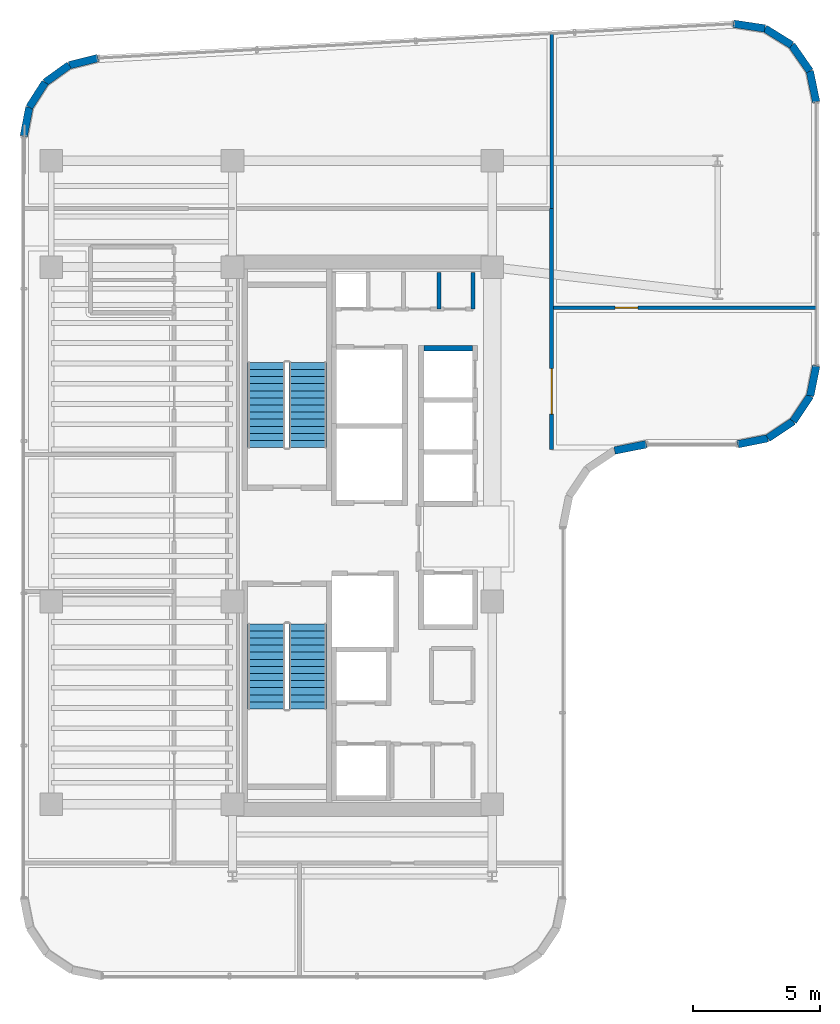
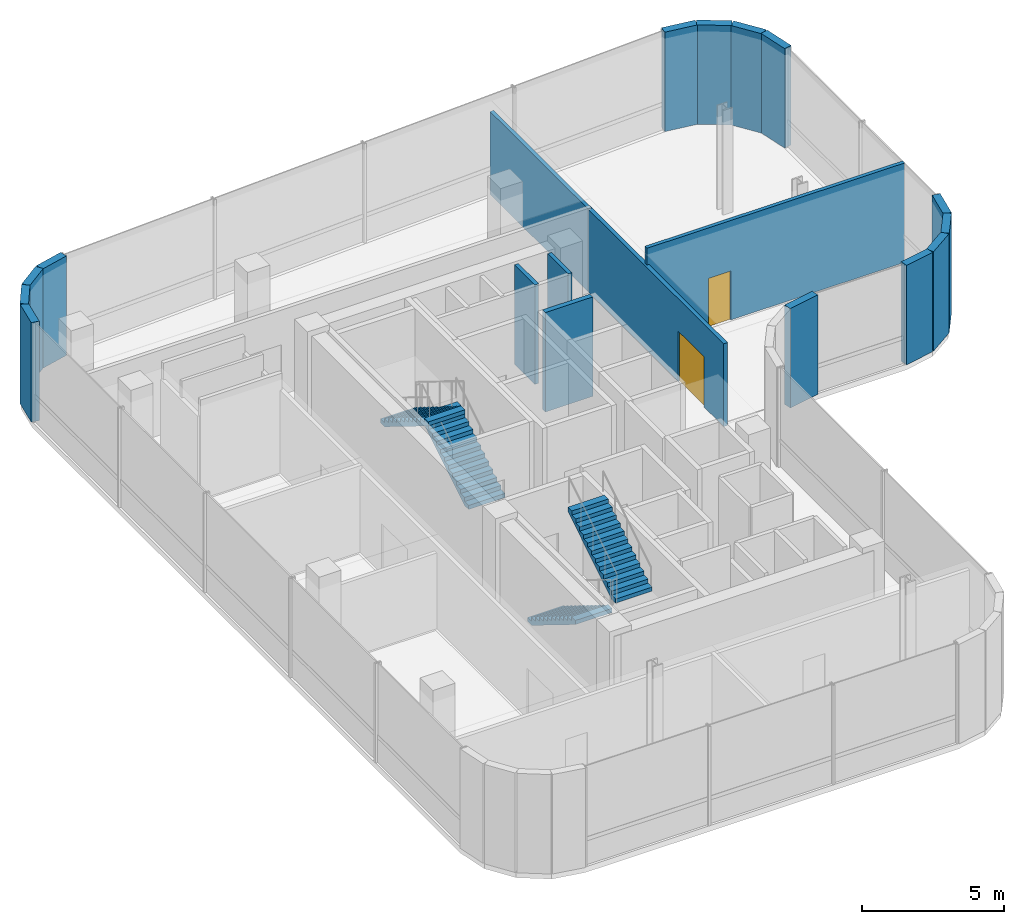
# One storey, part 15 of 17: 19 walls, 4 stair flights, 2 doors, 2 openings, 2 elements without a shape of their own.
"""IFC4 building model written with IfcOpenShell, lengths in metres."""

import ifcopenshell
import ifcopenshell.guid

model = None  # the IFC model being written
_history = None  # IfcOwnerHistory: only IFC2X3 demands one
_inside = {}  # id of a spatial element -> (the spatial element, [elements in it])
_under = {}  # id of a project, library or spatial element -> (it, [spatial elements below it])
_declared = {}  # id of a project -> (the project, [libraries it declares])
_typed = {}  # id of a type object -> (the type object, [elements of that type])
_made_of = {}  # id of a material, layer set ... -> (it, [elements and type objects made of it])


def new_model(schema):
    """Start an empty IFC model of exactly this schema.

    Asked for "IFC4X3", IfcOpenShell would pick the latest addendum, in which some entities
    have other attributes; the version numbers below select the first issue.
    IFC2X3 requires an IfcOwnerHistory on every rooted entity: one is made here for all.
    """
    global model, _history
    if schema == "IFC4X3":
        model = ifcopenshell.file(schema_version=(4, 3, 0, 0))
    else:
        model = ifcopenshell.file(schema=schema)
    _inside.clear()
    _under.clear()
    _declared.clear()
    _typed.clear()
    _made_of.clear()
    _history = None
    if model.schema == "IFC2X3":
        org = make("IfcOrganization", Name="unknown")
        user = make(
            "IfcPersonAndOrganization",
            ThePerson=make("IfcPerson", FamilyName="unknown"),
            TheOrganization=org,
        )
        app = make(
            "IfcApplication",
            ApplicationDeveloper=org,
            Version="unknown",
            ApplicationFullName="unknown",
            ApplicationIdentifier="unknown",
        )
        _history = make(
            "IfcOwnerHistory",
            OwningUser=user,
            OwningApplication=app,
            ChangeAction="ADDED",
            CreationDate=0,
        )
    return model


def make(cls, **values):
    """One entity of the class cls with the attributes given. An attribute that is None is left unset."""
    return model.create_entity(
        cls, **{name: value for name, value in values.items() if value is not None}
    )


def rooted(cls, **values):
    """An entity with a GlobalId (a new one), such as an element, a storey or a relation."""
    return make(cls, GlobalId=ifcopenshell.guid.new(), OwnerHistory=_history, **values)


def si_unit(unit_type, name, prefix=None):
    """IfcSIUnit, for example si_unit("LENGTHUNIT", "METRE", prefix="MILLI")."""
    return make("IfcSIUnit", UnitType=unit_type, Prefix=prefix, Name=name)


def assignment(units):
    """IfcUnitAssignment: the units of a project."""
    return None if units is None else make("IfcUnitAssignment", Units=units)


def point(xyz):
    """IfcCartesianPoint."""
    return None if xyz is None else make("IfcCartesianPoint", Coordinates=xyz)


def direction(xyz):
    """IfcDirection."""
    return None if xyz is None else make("IfcDirection", DirectionRatios=xyz)


def frame(location, z_axis=None, x_axis=None):
    """IfcAxis2Placement3D, a coordinate frame: its origin and axes. An axis left out is left unset."""
    return make(
        "IfcAxis2Placement3D",
        Location=point(location),
        Axis=direction(z_axis),
        RefDirection=direction(x_axis),
    )


def frame_2d(location, x_axis=None):
    """IfcAxis2Placement2D, a coordinate frame in the plane: its origin and x axis."""
    return make(
        "IfcAxis2Placement2D", Location=point(location), RefDirection=direction(x_axis)
    )


def origin():
    """The frame at (0, 0, 0) with its axes left unset."""
    return frame((0.0, 0.0, 0.0))


def place(relative_to, where):
    """IfcLocalPlacement: puts the frame where relative to a parent placement (None: the world)."""
    return make(
        "IfcLocalPlacement", PlacementRelTo=relative_to, RelativePlacement=where
    )


def context(
    kind, dimensions, precision=None, world=None, true_north=None, identifier=None
):
    """IfcGeometricRepresentationContext, for example the 3D "Model" context."""
    return make(
        "IfcGeometricRepresentationContext",
        ContextIdentifier=identifier,
        ContextType=kind,
        CoordinateSpaceDimension=dimensions,
        Precision=precision,
        WorldCoordinateSystem=world,
        TrueNorth=true_north,
    )


def subcontext(parent, identifier, kind, view, scale=None):
    """IfcGeometricRepresentationSubContext, for example "Body" below "Model"."""
    return make(
        "IfcGeometricRepresentationSubContext",
        ContextIdentifier=identifier,
        ContextType=kind,
        ParentContext=parent,
        TargetScale=scale,
        TargetView=view,
    )


def project(units=None, contexts=None):
    """IfcProject with its units and contexts."""
    return rooted(
        "IfcProject",
        Name="project",
        RepresentationContexts=contexts,
        UnitsInContext=assignment(units),
    )


def spatial(cls, under=None, at=None, **own):
    """A site, building, storey or space (cls), placed at a placement, below another one or the project."""
    s = rooted(cls, ObjectPlacement=at, **own)
    if under is not None:
        _under.setdefault(under.id(), (under, []))[1].append(s)
    return s


def polyline(points):
    """IfcPolyline through the points."""
    return make("IfcPolyline", Points=[point(p) for p in points])


def profile(cls, at=None, kind="AREA", **sizes):
    """A parametric profile (cls). Its sizes go by their IFC names, for example OverallWidth=200.0."""
    return make(cls, ProfileType=kind, Position=at, **sizes)


def rectangle(**sizes):
    """IfcRectangleProfileDef."""
    return profile("IfcRectangleProfileDef", **sizes)


def outline(outer, holes=None, kind="AREA"):
    """IfcArbitraryClosedProfileDef: a profile drawn as a closed curve; with holes, ...WithVoids."""
    if holes is None:
        return make("IfcArbitraryClosedProfileDef", ProfileType=kind, OuterCurve=outer)
    return make(
        "IfcArbitraryProfileDefWithVoids",
        ProfileType=kind,
        OuterCurve=outer,
        InnerCurves=holes,
    )


def extrude(swept, where, along, depth):
    """IfcExtrudedAreaSolid: the profile swept, set in the frame where, extruded along a direction by depth."""
    return make(
        "IfcExtrudedAreaSolid",
        SweptArea=swept,
        Position=where,
        ExtrudedDirection=direction(along),
        Depth=depth,
    )


def shape(context_of_items, identifier, shape_type, items):
    """IfcShapeRepresentation: the items that make up one representation, for example the "Body"."""
    return make(
        "IfcShapeRepresentation",
        ContextOfItems=context_of_items,
        RepresentationIdentifier=identifier,
        RepresentationType=shape_type,
        Items=items,
    )


def material(Name=None, Category=None):
    """IfcMaterial."""
    return make("IfcMaterial", Name=Name, Category=Category)


def layer(
    of_material, thickness, ventilated=None, Name=None, Category=None, Priority=None
):
    """IfcMaterialLayer: one layer of a wall or slab, of a material (None: an air gap)."""
    return make(
        "IfcMaterialLayer",
        Material=of_material,
        LayerThickness=thickness,
        IsVentilated=ventilated,
        Name=Name,
        Category=Category,
        Priority=Priority,
    )


def layer_set(layers, Name=None):
    """IfcMaterialLayerSet."""
    return make("IfcMaterialLayerSet", MaterialLayers=layers, LayerSetName=Name)


def made_of(thing, what):
    """Note that an element or type object is made of a material, layer set ...; save() writes the relation."""
    if what is not None:
        _made_of.setdefault(what.id(), (what, []))[1].append(thing)
    return thing


def type_object(cls, material=None, **own):
    """A type object (cls), such as IfcWallType, which elements share."""
    return made_of(rooted(cls, **own), material)


def element(
    cls,
    number,
    at=None,
    inside=None,
    cuts=None,
    type_object=None,
    material=None,
    context=None,
    identifier="Body",
    shape_type=None,
    held_by="IfcProductDefinitionShape",
    body=None,
    shapes=None,
    **own,
):
    """One element of the class cls, such as IfcWall. Its Tag is "e" and its number.

    at: its placement. inside: the storey or other place that contains it. cuts: it is an
    opening in that element (IfcRelVoidsElement). A single representation is given by context,
    identifier, shape_type and body (its items); several are given by shapes. held_by: the class
    of the entity that holds the representations. save() writes the other relations.
    """
    e = rooted(cls, Tag="e%d" % number, ObjectPlacement=at, **own)
    if body is not None:
        shapes = [shape(context, identifier, shape_type, body)]
    if shapes is not None:
        e.Representation = make(held_by, Representations=shapes)
    if inside is not None:
        _inside.setdefault(inside.id(), (inside, []))[1].append(e)
    if cuts is not None:
        rooted(
            "IfcRelVoidsElement", RelatingBuildingElement=cuts, RelatedOpeningElement=e
        )
    if type_object is not None:
        _typed.setdefault(type_object.id(), (type_object, []))[1].append(e)
    return made_of(e, material)


def fill(opening, filler):
    """IfcRelFillsElement: the door or window that sits in an opening."""
    return rooted(
        "IfcRelFillsElement",
        RelatingOpeningElement=opening,
        RelatedBuildingElement=filler,
    )


def aggregate(whole, parts):
    """IfcRelAggregates: a whole, such as a stair, and the parts it consists of."""
    return rooted("IfcRelAggregates", RelatingObject=whole, RelatedObjects=parts)


def save(model, path):
    """Write the relations noted so far, then the file.

    IfcRelAggregates (storeys below a building ...), IfcRelContainedInSpatialStructure (elements
    in a storey), IfcRelDefinesByType, IfcRelAssociatesMaterial and IfcRelDeclares: one each for
    every whole, place, type object, material and project.
    """
    for whole, parts in _under.values():
        aggregate(whole, parts)
    for where, things in _inside.values():
        rooted(
            "IfcRelContainedInSpatialStructure",
            RelatedElements=things,
            RelatingStructure=where,
        )
    for kind, things in _typed.values():
        rooted("IfcRelDefinesByType", RelatedObjects=things, RelatingType=kind)
    for what, things in _made_of.values():
        rooted("IfcRelAssociatesMaterial", RelatedObjects=things, RelatingMaterial=what)
    for by, libraries in _declared.values():
        rooted("IfcRelDeclares", RelatingContext=by, RelatedDefinitions=libraries)
    model.write(path)


model = new_model("IFC4")

# Units and contexts
model_context = context("Model", 3, precision=1e-05, world=origin(), true_north=direction((0.0, 1.0)))
body_context = subcontext(model_context, "Body", "Model", "MODEL_VIEW")
ifc_project = project(units=[si_unit("LENGTHUNIT", "METRE"), si_unit("AREAUNIT", "SQUARE_METRE"), si_unit("VOLUMEUNIT", "CUBIC_METRE"), si_unit("PLANEANGLEUNIT", "RADIAN"), si_unit("MASSUNIT", "GRAM", prefix="KILO")], contexts=[model_context])

# Site, building, storey
site_placement = place(None, origin())
site = spatial("IfcSite", under=ifc_project, at=site_placement, CompositionType="ELEMENT")
building_placement = place(site_placement, origin())
building = spatial("IfcBuilding", under=site, at=building_placement, Name="Valdorenza Pilgrim Sanctuary Tower", CompositionType="ELEMENT")
storey_placement = place(building_placement, frame((0.0, 0.0, 201.0)))
storey = spatial("IfcBuildingStorey", under=building, at=storey_placement, Name="L51", CompositionType="ELEMENT", Elevation=201.0)

# Walls
ifc_material_1 = material(Name="Acoustic twin-stud gypsum partition", Category="gypsum")
ifc_layer_1 = layer(ifc_material_1, 0.159912109375, Name="Acoustic twin-stud gypsum partition")
ifc_layer_set_1 = layer_set([ifc_layer_1], Name="Acoustic twin-stud gypsum partition")
wall_type_1 = type_object("IfcWallType", Name="WAL-COR-160", PredefinedType="PARTITIONING", material=ifc_layer_set_1)
for number, where, z_axis, x_axis, name in (
    (1, (-13.14990234375, 8.949951171875, 0.0), (0.0, 0.0, 1.0), (0.0, 1.0, 0.0), "L51 Core A North Service East Wall"),
    (2, (-14.5, 8.949951171875, 0.0), (0.0, 0.0, 1.0), (0.0, 1.0, 0.0), "L51 Core A Split D2"),
):
    element("IfcWall", number, at=place(storey_placement, frame(where, z_axis=z_axis, x_axis=x_axis)), inside=storey, type_object=wall_type_1, Name=name, PredefinedType="PARTITIONING", context=body_context, shape_type="SweptSolid", body=[
        extrude(rectangle(XDim=1.429931640625, YDim=0.159912109375, at=frame_2d((0.71484375, 0.0))), origin(), (0.0, 0.0, 1.0), 4.260009765625),
    ])

# Wall, opening, door
wall_1_placement = place(storey_placement, frame((-10.050048828125, 3.39990234375, 0.0), z_axis=(0.0, 0.0, 1.0), x_axis=(0.0, 1.0, 0.0)))
wall_1 = element("IfcWall", 3, at=wall_1_placement, inside=storey, type_object=wall_type_1, Name="L51 Sky East Gallery Wall", PredefinedType="PARTITIONING", context=body_context, shape_type="SweptSolid", body=[
    extrude(rectangle(XDim=9.52001953125, YDim=0.159912109375, at=frame_2d((4.760009765625, 0.0))), origin(), (0.0, 0.0, 1.0), 3.5439453125),
])
opening_1_placement = place(wall_1_placement, frame((1.39990234375, 0.0, 0.0)))
opening_1 = element("IfcOpeningElement", 4, at=opening_1_placement, cuts=wall_1, Name="Opening DR-HL1", PredefinedType="OPENING", context=body_context, shape_type="SweptSolid", body=[
    extrude(rectangle(XDim=1.800048828125, YDim=2.14990234375, at=frame_2d((0.89990234375, 1.074951171875))), frame((0.0, 0.0947265625, 0.0), z_axis=(0.0, -1.0, 0.0), x_axis=(1.0, 0.0, 0.0)), (0.0, 0.0, 1.0), 0.189697265625),
])
ifc_material_2 = material(Name="Acoustic oak and vision-glass double door", Category="glass")
door_type_1 = type_object("IfcDoorType", Name="DR-HALL-1800", OperationType="NOTDEFINED", PredefinedType="DOOR", material=ifc_material_2)
door_1_placement = place(opening_1_placement, origin())
door_1 = element("IfcDoor", 5, at=door_1_placement, inside=storey, type_object=door_type_1, Name="L51 Sky East Gallery Door", OperationType="DOUBLE_DOOR_SINGLE_SWING", OverallHeight=2.14990234375, OverallWidth=1.800048828125, PredefinedType="DOOR", context=body_context, shape_type="SweptSolid", body=[
    extrude(rectangle(XDim=1.800048828125, YDim=2.14990234375, at=frame_2d((0.89990234375, 1.074951171875))), frame((0.0, 0.02490234375, 0.0), z_axis=(0.0, -1.0, 0.0), x_axis=(1.0, 0.0, 0.0)), (0.0, 0.0, 1.0), 0.050048828125),
])
fill(opening_1, door_1)

# Walls
ifc_material_3 = material(Name="Honed travertine limestone", Category="masonry")
ifc_layer_2 = layer(ifc_material_3, 0.300048828125, Name="Honed travertine limestone")
ifc_layer_set_2 = layer_set([ifc_layer_2], Name="Honed travertine limestone")
wall_type_2 = type_object("IfcWallType", Name="WAL-EXT-300", PredefinedType="SOLIDWALL", material=ifc_layer_set_2)
wall_2_placement = place(storey_placement, frame((-30.889892578125, 15.757568359375, 0.0), z_axis=(0.0, 0.0, 1.0), x_axis=(0.18831542659, 0.982108598938, 0.0)))
element("IfcWall", 6, at=wall_2_placement, inside=storey, type_object=wall_type_2, Name="L51 Rounded Wind-Corner Stone Pier 2", PredefinedType="SOLIDWALL", context=body_context, shape_type="SweptSolid", body=[
    extrude(rectangle(XDim=1.174560546875, YDim=0.300048828125, at=frame_2d((0.58740234375, 0.0))), origin(), (0.0, 0.0, 1.0), 4.260009765625),
])
wall_3_placement = place(storey_placement, frame((-30.668701171875, 16.9111328125, 0.0), z_axis=(0.0, 0.0, 1.0), x_axis=(0.538678781902, 0.84251122837, 0.0)))
element("IfcWall", 7, at=wall_3_placement, inside=storey, type_object=wall_type_2, Name="L51 Rounded Wind-Corner Stone Pier 3", PredefinedType="SOLIDWALL", context=body_context, shape_type="SweptSolid", body=[
    extrude(rectangle(XDim=1.164306640625, YDim=0.300048828125, at=frame_2d((0.58203125, 0.0))), origin(), (0.0, 0.0, 1.0), 4.260009765625),
])
wall_4_placement = place(storey_placement, frame((-30.04150390625, 17.89208984375, 0.0), z_axis=(0.0, 0.0, 1.0), x_axis=(0.812313539683, 0.583220981487, 0.0)))
element("IfcWall", 8, at=wall_4_placement, inside=storey, type_object=wall_type_2, Name="L51 Rounded Wind-Corner Stone Pier 4", PredefinedType="SOLIDWALL", context=body_context, shape_type="SweptSolid", body=[
    extrude(rectangle(XDim=1.163818359375, YDim=0.300048828125, at=frame_2d((0.58203125, 0.0))), origin(), (0.0, 0.0, 1.0), 4.260009765625),
])
wall_5_placement = place(storey_placement, frame((-29.09619140625, 18.57080078125, 0.0), z_axis=(0.0, 0.0, 1.0), x_axis=(0.97050812798, 0.241068400098, 0.0)))
element("IfcWall", 9, at=wall_5_placement, inside=storey, type_object=wall_type_2, Name="L51 Rounded Wind-Corner Stone Pier 5", PredefinedType="SOLIDWALL", context=body_context, shape_type="SweptSolid", body=[
    extrude(rectangle(XDim=1.1748046875, YDim=0.300048828125, at=frame_2d((0.58740234375, 0.0))), origin(), (0.0, 0.0, 1.0), 4.260009765625),
])
wall_6_placement = place(storey_placement, frame((-2.877685546875, 20.20751953125, 0.0), z_axis=(0.0, 0.0, 1.0), x_axis=(0.988902138571, -0.148568369208, 0.0)))
element("IfcWall", 10, at=wall_6_placement, inside=storey, type_object=wall_type_2, Name="L51 Rounded Wind-Corner Stone Pier 7", PredefinedType="SOLIDWALL", context=body_context, shape_type="SweptSolid", body=[
    extrude(rectangle(XDim=1.257080078125, YDim=0.300048828125, at=frame_2d((0.62841796875, 0.0))), origin(), (0.0, 0.0, 1.0), 4.260009765625),
])
wall_7_placement = place(storey_placement, frame((-1.634521484375, 20.020751953125, 0.0), z_axis=(0.0, 0.0, 1.0), x_axis=(0.849646224094, -0.52735310171, 0.0)))
element("IfcWall", 11, at=wall_7_placement, inside=storey, type_object=wall_type_2, Name="L51 Rounded Wind-Corner Stone Pier 8", PredefinedType="SOLIDWALL", context=body_context, shape_type="SweptSolid", body=[
    extrude(rectangle(XDim=1.245361328125, YDim=0.300048828125, at=frame_2d((0.62255859375, 0.0))), origin(), (0.0, 0.0, 1.0), 4.260009765625),
])
wall_8_placement = place(storey_placement, frame((-0.576416015625, 19.364013671875, 0.0), z_axis=(0.0, 0.0, 1.0), x_axis=(0.572304219931, -0.820041389107, 0.0)))
element("IfcWall", 12, at=wall_8_placement, inside=storey, type_object=wall_type_2, Name="L51 Rounded Wind-Corner Stone Pier 9", PredefinedType="SOLIDWALL", context=body_context, shape_type="SweptSolid", body=[
    extrude(rectangle(XDim=1.24560546875, YDim=0.300048828125, at=frame_2d((0.622802734375, 0.0))), origin(), (0.0, 0.0, 1.0), 4.260009765625),
])
wall_9_placement = place(storey_placement, frame((0.136474609375, 18.342529296875, 0.0), z_axis=(0.0, 0.0, 1.0), x_axis=(0.201603599025, -0.979467196419, 0.0)))
element("IfcWall", 13, at=wall_9_placement, inside=storey, type_object=wall_type_2, Name="L51 Rounded Wind-Corner Stone Pier 10", PredefinedType="SOLIDWALL", context=body_context, shape_type="SweptSolid", body=[
    extrude(rectangle(XDim=1.257080078125, YDim=0.300048828125, at=frame_2d((0.62841796875, 0.0))), origin(), (0.0, 0.0, 1.0), 4.260009765625),
])
wall_10_placement = place(storey_placement, frame((0.389892578125, 6.710693359375, 0.0), z_axis=(0.0, 0.0, 1.0), x_axis=(-0.194996050505, -0.980804027463, 0.0)))
element("IfcWall", 14, at=wall_10_placement, inside=storey, type_object=wall_type_2, Name="L51 Rounded Wind-Corner Stone Pier 12", PredefinedType="SOLIDWALL", context=body_context, shape_type="SweptSolid", body=[
    extrude(rectangle(XDim=1.2158203125, YDim=0.300048828125, at=frame_2d((0.60791015625, 0.0))), origin(), (0.0, 0.0, 1.0), 4.260009765625),
])
for number, where, z_axis, x_axis, name in (
    (15, (0.15283203125, 5.518310546875, 0.0), (0.0, 0.0, 1.0), (-0.555635100982, -0.831426265255, 0.0), "L51 Rounded Wind-Corner Stone Pier 13"),
    (16, (-0.5166015625, 4.5166015625, 0.0), (0.0, 0.0, 1.0), (-0.831426265255, -0.555635100982, 0.0), "L51 Rounded Wind-Corner Stone Pier 14"),
):
    element("IfcWall", number, at=place(storey_placement, frame(where, z_axis=z_axis, x_axis=x_axis)), inside=storey, type_object=wall_type_2, Name=name, PredefinedType="SOLIDWALL", context=body_context, shape_type="SweptSolid", body=[
        extrude(rectangle(XDim=1.204833984375, YDim=0.300048828125, at=frame_2d((0.6025390625, 0.0))), origin(), (0.0, 0.0, 1.0), 4.260009765625),
    ])
wall_11_placement = place(storey_placement, frame((-1.518310546875, 3.84716796875, 0.0), z_axis=(0.0, 0.0, 1.0), x_axis=(-0.980804027463, -0.194996050505, 0.0)))
element("IfcWall", 17, at=wall_11_placement, inside=storey, type_object=wall_type_2, Name="L51 Rounded Wind-Corner Stone Pier 15", PredefinedType="SOLIDWALL", context=body_context, shape_type="SweptSolid", body=[
    extrude(rectangle(XDim=1.2158203125, YDim=0.300048828125, at=frame_2d((0.60791015625, 0.0))), origin(), (0.0, 0.0, 1.0), 4.260009765625),
])
wall_12_placement = place(storey_placement, frame((-6.310791015625, 3.610107421875, 0.0), z_axis=(0.0, 0.0, 1.0), x_axis=(-0.980778058848, -0.195126623715, 0.0)))
element("IfcWall", 18, at=wall_12_placement, inside=storey, type_object=wall_type_2, Name="L51 Rounded Wind-Corner Stone Pier 17", PredefinedType="SOLIDWALL", context=body_context, shape_type="SweptSolid", body=[
    extrude(rectangle(XDim=1.28125, YDim=0.300048828125, at=frame_2d((0.640625, 0.0))), origin(), (0.0, 0.0, 1.0), 4.260009765625),
])
ifc_material_4 = material(Name="Autoclaved aerated concrete blockwork", Category="masonry")
ifc_layer_3 = layer(ifc_material_4, 0.199951171875, Name="Autoclaved aerated concrete blockwork")
ifc_layer_set_3 = layer_set([ifc_layer_3], Name="Autoclaved aerated concrete blockwork")
wall_type_3 = type_object("IfcWallType", Name="WAL-SHF-200", PredefinedType="MOVABLE", material=ifc_layer_set_3)
wall_13_placement = place(storey_placement, frame((-15.10009765625, 7.39990234375, 0.0), z_axis=(0.0, 0.0, 1.0), x_axis=(1.0, 0.0, 0.0)))
element("IfcWall", 19, at=wall_13_placement, inside=storey, type_object=wall_type_3, Name="L51 Lift PL-10 Hoistway Wall North", PredefinedType="MOVABLE", context=body_context, shape_type="SweptSolid", body=[
    extrude(rectangle(XDim=1.920166015625, YDim=0.199951171875, at=frame_2d((0.9599609375, 0.0))), origin(), (0.0, 0.0, 1.0), 4.260009765625),
])
ifc_layer_4 = layer(ifc_material_1, 0.14990234375, Name="Acoustic twin-stud gypsum partition")
ifc_layer_set_4 = layer_set([ifc_layer_4], Name="Acoustic twin-stud gypsum partition")
wall_type_4 = type_object("IfcWallType", Name="WAL-UNT-150", PredefinedType="PARTITIONING", material=ifc_layer_set_4)
wall_14_placement = place(storey_placement, frame((-10.050048828125, 12.919921875, 0.0), z_axis=(0.0, 0.0, 1.0), x_axis=(0.0, 1.0, 0.0)))
element("IfcWall", 20, at=wall_14_placement, inside=storey, type_object=wall_type_4, Name="L51 Sky North Salon East Wall", PredefinedType="PARTITIONING", context=body_context, shape_type="SweptSolid", body=[
    extrude(rectangle(XDim=6.900634765625, YDim=0.14990234375, at=frame_2d((3.4501953125, 0.0))), origin(), (0.0, 0.0, 1.0), 3.5439453125),
])

# Wall, opening, door
wall_15_placement = place(storey_placement, frame((-10.050048828125, 9.0, 0.0), z_axis=(0.0, 0.0, 1.0), x_axis=(1.0, 0.0, 0.0)))
wall_15 = element("IfcWall", 21, at=wall_15_placement, inside=storey, type_object=wall_type_4, Name="L51 Sky East Divider Wall", PredefinedType="PARTITIONING", context=body_context, shape_type="SweptSolid", body=[
    extrude(rectangle(XDim=10.43994140625, YDim=0.14990234375, at=frame_2d((5.219970703125, 0.0))), origin(), (0.0, 0.0, 1.0), 4.260009765625),
])
opening_2_placement = place(wall_15_placement, frame((2.5, 0.0, 0.0)))
opening_2 = element("IfcOpeningElement", 22, at=opening_2_placement, cuts=wall_15, Name="Opening DR-RM1", PredefinedType="OPENING", context=body_context, shape_type="SweptSolid", body=[
    extrude(rectangle(XDim=0.89990234375, YDim=2.10009765625, at=frame_2d((0.449951171875, 1.050048828125))), frame((0.0, 0.08984375, 0.0), z_axis=(0.0, -1.0, 0.0), x_axis=(1.0, 0.0, 0.0)), (0.0, 0.0, 1.0), 0.1796875),
])
ifc_material_5 = material(Name="Solid-core European oak timber", Category="wood")
door_type_2 = type_object("IfcDoorType", Name="DR-ROOM-900", OperationType="NOTDEFINED", PredefinedType="DOOR", material=ifc_material_5)
door_2_placement = place(opening_2_placement, frame((0.89990234375, 0.0, 0.0), z_axis=(0.0, 0.0, 1.0), x_axis=(-1.0, 0.0, 0.0)))
door_2 = element("IfcDoor", 23, at=door_2_placement, inside=storey, type_object=door_type_2, Name="L51 Sky East Salon Door", OperationType="SINGLE_SWING_LEFT", OverallHeight=2.10009765625, OverallWidth=0.89990234375, PredefinedType="DOOR", context=body_context, shape_type="SweptSolid", body=[
    extrude(rectangle(XDim=0.89990234375, YDim=2.10009765625, at=frame_2d((0.449951171875, 1.050048828125))), frame((0.0, 0.02490234375, 0.0), z_axis=(0.0, -1.0, 0.0), x_axis=(1.0, 0.0, 0.0)), (0.0, 0.0, 1.0), 0.050048828125),
])
fill(opening_2, door_2)

# Stair, stair flights
ifc_material_6 = material(Name="Concrete C40/50", Category="concrete")
stair_type = type_object("IfcStairType", Name="STR-DOG-CORE", PredefinedType="HALF_TURN_STAIR", material=ifc_material_6)
stair_1_placement = place(storey_placement, origin())
stair_1 = element("IfcStair", 24, at=stair_1_placement, inside=storey, type_object=stair_type, Name="L51 ST-A1", PredefinedType="HALF_TURN_STAIR")
stair_flight_type = type_object("IfcStairFlightType", Name="STF-RC-1400", PredefinedType="STRAIGHT", material=ifc_material_6)
stair_flight_1_placement = place(storey_placement, frame((-19.679931640625, 3.47998046875, 0.0), z_axis=(0.0, 0.0, 1.0), x_axis=(0.0, 1.0, 0.0)))
stair_flight_1 = element("IfcStairFlight", 25, at=stair_flight_1_placement, type_object=stair_flight_type, Name="ST-A1 flight 1", NumberOfRisers=13, NumberOfTreads=12, PredefinedType="STRAIGHT", RiserHeight=0.173076923, TreadLength=0.28, context=body_context, shape_type="SweptSolid", body=[
    extrude(outline(polyline([(0.0, 0.0), (0.0, 0.173095703125), (0.280029296875, 0.173095703125), (0.280029296875, 0.34619140625), (0.56005859375, 0.34619140625), (0.56005859375, 0.519287109375), (0.840087890625, 0.519287109375), (0.840087890625, 0.6923828125), (1.1201171875, 0.6923828125), (1.1201171875, 0.865478515625), (1.39990234375, 0.865478515625), (1.39990234375, 1.03857421875), (1.679931640625, 1.03857421875), (1.679931640625, 1.21142578125), (1.9599609375, 1.21142578125), (1.9599609375, 1.384521484375), (2.239990234375, 1.384521484375), (2.239990234375, 1.5576171875), (2.52001953125, 1.5576171875), (2.52001953125, 1.730712890625), (2.800048828125, 1.730712890625), (2.800048828125, 1.90380859375), (3.080078125, 1.90380859375), (3.080078125, 2.076904296875), (3.360107421875, 2.076904296875), (3.360107421875, 2.25), (3.360107421875, 1.900634765625), (0.28515625, 0.0), (0.0, 0.0)])), frame((0.0, 0.739990234375, 0.0), z_axis=(0.0, -1.0, 0.0), x_axis=(1.0, 0.0, 0.0)), (0.0, 0.0, 1.0), 1.47998046875),
])
stair_flight_2_placement = place(storey_placement, frame((-21.31005859375, 6.840087890625, 2.25), z_axis=(0.0, 0.0, 1.0), x_axis=(0.0, -1.0, 0.0)))
stair_flight_2 = element("IfcStairFlight", 26, at=stair_flight_2_placement, type_object=stair_flight_type, Name="ST-A1 flight 2", NumberOfRisers=13, NumberOfTreads=12, PredefinedType="STRAIGHT", RiserHeight=0.173076923, TreadLength=0.28, context=body_context, shape_type="SweptSolid", body=[
    extrude(outline(polyline([(0.0, 0.0), (0.0, 0.173095703125), (0.280029296875, 0.173095703125), (0.280029296875, 0.34619140625), (0.56005859375, 0.34619140625), (0.56005859375, 0.519287109375), (0.840087890625, 0.519287109375), (0.840087890625, 0.6923828125), (1.1201171875, 0.6923828125), (1.1201171875, 0.865478515625), (1.39990234375, 0.865478515625), (1.39990234375, 1.03857421875), (1.679931640625, 1.03857421875), (1.679931640625, 1.21142578125), (1.9599609375, 1.21142578125), (1.9599609375, 1.384521484375), (2.239990234375, 1.384521484375), (2.239990234375, 1.5576171875), (2.52001953125, 1.5576171875), (2.52001953125, 1.730712890625), (2.800048828125, 1.730712890625), (2.800048828125, 1.90380859375), (3.080078125, 1.90380859375), (3.080078125, 2.076904296875), (3.360107421875, 2.076904296875), (3.360107421875, 2.25), (3.360107421875, 1.900634765625), (0.28515625, 0.0), (0.0, 0.0)])), frame((0.0, 0.739990234375, 0.0), z_axis=(0.0, -1.0, 0.0), x_axis=(1.0, 0.0, 0.0)), (0.0, 0.0, 1.0), 1.47998046875),
])
aggregate(stair_1, [stair_flight_1, stair_flight_2])

stair_2_placement = place(storey_placement, origin())
stair_2 = element("IfcStair", 27, at=stair_2_placement, inside=storey, type_object=stair_type, Name="L51 ST-A2", PredefinedType="HALF_TURN_STAIR")
stair_flight_3_placement = place(storey_placement, frame((-21.31005859375, -3.47998046875, 0.0), z_axis=(0.0, 0.0, 1.0), x_axis=(0.0, -1.0, 0.0)))
stair_flight_3 = element("IfcStairFlight", 28, at=stair_flight_3_placement, type_object=stair_flight_type, Name="ST-A2 flight 1", NumberOfRisers=13, NumberOfTreads=12, PredefinedType="STRAIGHT", RiserHeight=0.173076923, TreadLength=0.28, context=body_context, shape_type="SweptSolid", body=[
    extrude(outline(polyline([(0.0, 0.0), (0.0, 0.173095703125), (0.280029296875, 0.173095703125), (0.280029296875, 0.34619140625), (0.56005859375, 0.34619140625), (0.56005859375, 0.519287109375), (0.840087890625, 0.519287109375), (0.840087890625, 0.6923828125), (1.1201171875, 0.6923828125), (1.1201171875, 0.865478515625), (1.39990234375, 0.865478515625), (1.39990234375, 1.03857421875), (1.679931640625, 1.03857421875), (1.679931640625, 1.21142578125), (1.9599609375, 1.21142578125), (1.9599609375, 1.384521484375), (2.239990234375, 1.384521484375), (2.239990234375, 1.5576171875), (2.52001953125, 1.5576171875), (2.52001953125, 1.730712890625), (2.800048828125, 1.730712890625), (2.800048828125, 1.90380859375), (3.080078125, 1.90380859375), (3.080078125, 2.076904296875), (3.360107421875, 2.076904296875), (3.360107421875, 2.25), (3.360107421875, 1.900634765625), (0.28515625, 0.0), (0.0, 0.0)])), frame((0.0, 0.739990234375, 0.0), z_axis=(0.0, -1.0, 0.0), x_axis=(1.0, 0.0, 0.0)), (0.0, 0.0, 1.0), 1.47998046875),
])
stair_flight_4_placement = place(storey_placement, frame((-19.679931640625, -6.840087890625, 2.25), z_axis=(0.0, 0.0, 1.0), x_axis=(0.0, 1.0, 0.0)))
stair_flight_4 = element("IfcStairFlight", 29, at=stair_flight_4_placement, type_object=stair_flight_type, Name="ST-A2 flight 2", NumberOfRisers=13, NumberOfTreads=12, PredefinedType="STRAIGHT", RiserHeight=0.173076923, TreadLength=0.28, context=body_context, shape_type="SweptSolid", body=[
    extrude(outline(polyline([(0.0, 0.0), (0.0, 0.173095703125), (0.280029296875, 0.173095703125), (0.280029296875, 0.34619140625), (0.56005859375, 0.34619140625), (0.56005859375, 0.519287109375), (0.840087890625, 0.519287109375), (0.840087890625, 0.6923828125), (1.1201171875, 0.6923828125), (1.1201171875, 0.865478515625), (1.39990234375, 0.865478515625), (1.39990234375, 1.03857421875), (1.679931640625, 1.03857421875), (1.679931640625, 1.21142578125), (1.9599609375, 1.21142578125), (1.9599609375, 1.384521484375), (2.239990234375, 1.384521484375), (2.239990234375, 1.5576171875), (2.52001953125, 1.5576171875), (2.52001953125, 1.730712890625), (2.800048828125, 1.730712890625), (2.800048828125, 1.90380859375), (3.080078125, 1.90380859375), (3.080078125, 2.076904296875), (3.360107421875, 2.076904296875), (3.360107421875, 2.25), (3.360107421875, 1.900634765625), (0.28515625, 0.0), (0.0, 0.0)])), frame((0.0, 0.739990234375, 0.0), z_axis=(0.0, -1.0, 0.0), x_axis=(1.0, 0.0, 0.0)), (0.0, 0.0, 1.0), 1.47998046875),
])
aggregate(stair_2, [stair_flight_3, stair_flight_4])

save(model, "model.ifc")
